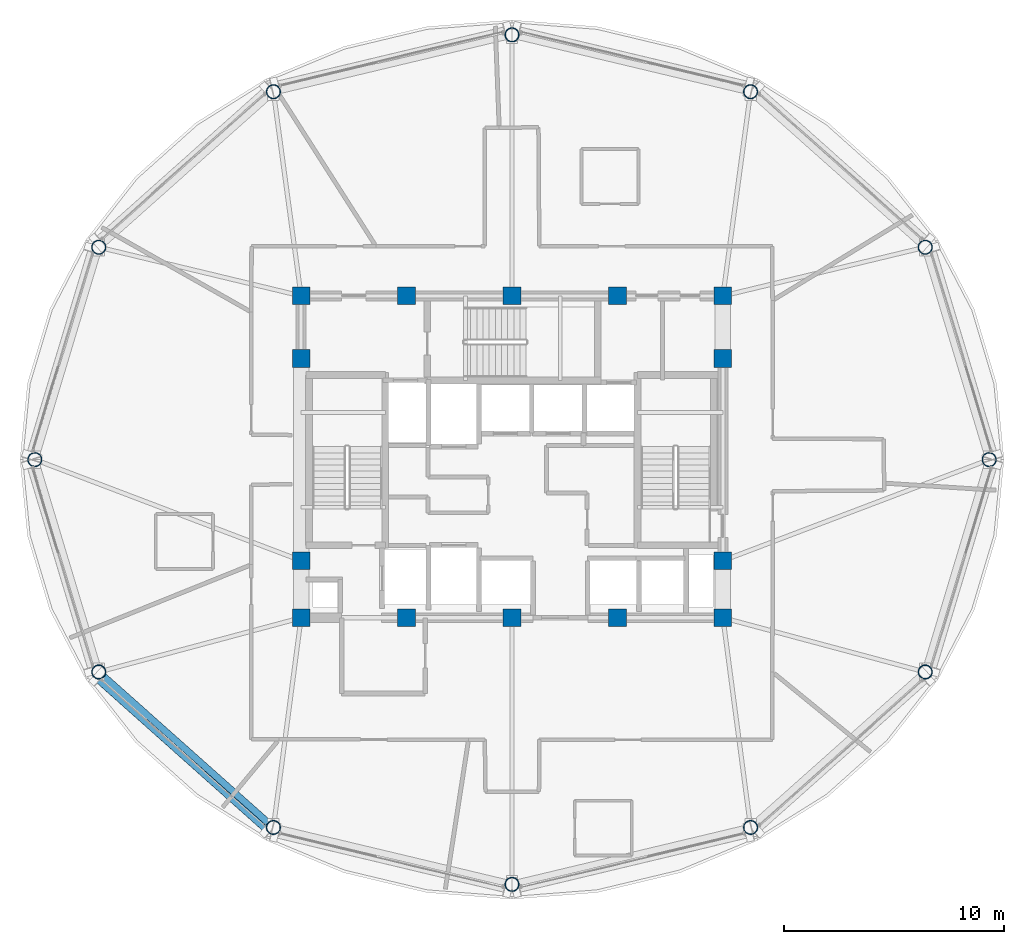
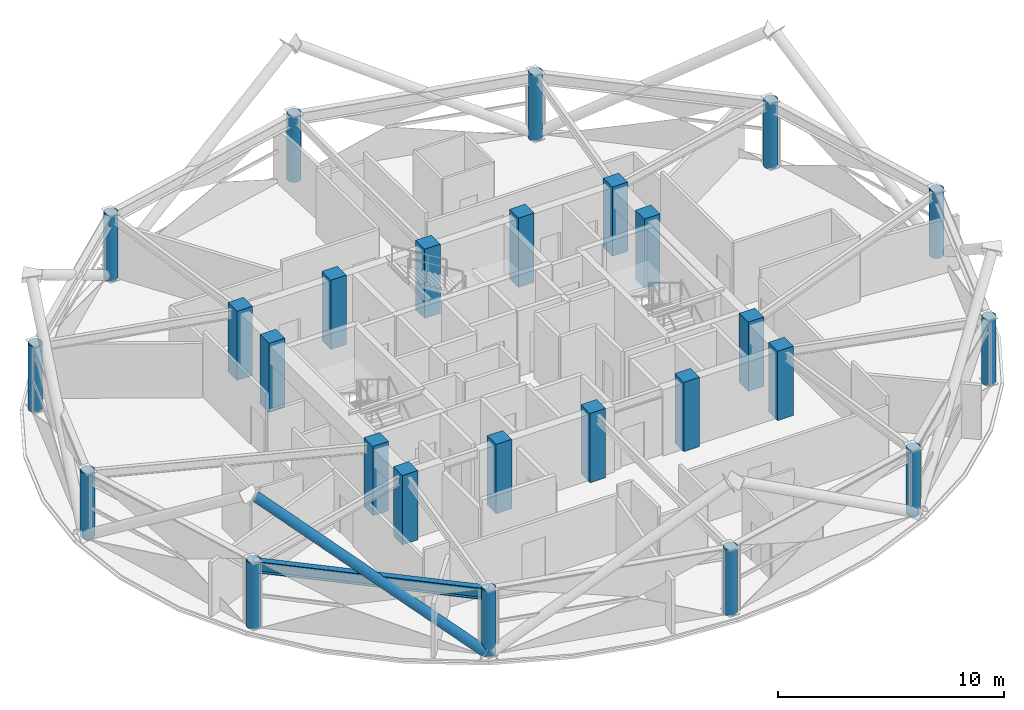
# One storey, part 1 of 28: 26 columns, 1 beam, 1 member.
"""IFC4 building model written with IfcOpenShell, lengths in metres."""

from ifc_helpers import new_model, si_unit, direction, frame, origin, origin_2d, place, context, subcontext, project, spatial, rectangle, hollow_circle, i_section, extrude, material, material_profile, profile_set, type_object, element, save


model = new_model("IFC4")

# Units and contexts
model_context = context("Model", 3, precision=1e-05, world=origin(), true_north=direction((0.0, 1.0)))
body_context = subcontext(model_context, "Body", "Model", "MODEL_VIEW")
ifc_project = project(units=[si_unit("LENGTHUNIT", "METRE"), si_unit("AREAUNIT", "SQUARE_METRE"), si_unit("VOLUMEUNIT", "CUBIC_METRE"), si_unit("PLANEANGLEUNIT", "RADIAN"), si_unit("MASSUNIT", "GRAM", prefix="KILO")], contexts=[model_context])

# Site, building, storey
site_placement = place(None, origin())
site = spatial("IfcSite", under=ifc_project, at=site_placement, CompositionType="ELEMENT")
building_placement = place(site_placement, origin())
building = spatial("IfcBuilding", under=site, at=building_placement, Name="Vantalir Tower", CompositionType="ELEMENT")
storey_placement = place(building_placement, frame((0.0, 0.0, 242.39990234375)))
storey = spatial("IfcBuildingStorey", under=building, at=storey_placement, Name="L61", CompositionType="ELEMENT", Elevation=242.39990234375)

# Columns
ifc_material_1 = material(Name="Concrete C50/60", Category="concrete")
ifc_material_profile_1 = material_profile(ifc_material_1, rectangle(XDim=0.800048828125, YDim=0.800048828125, at=origin_2d()), Name="Concrete C50/60")
ifc_profile_set_1 = profile_set([ifc_material_profile_1], Name="Concrete C50/60")
column_type_1 = type_object("IfcColumnType", Name="COL-CC-800", PredefinedType="COLUMN", material=ifc_profile_set_1)
for number, where, z_axis, x_axis, name in (
    (1, (21.89990234375, 17.800048828125, 0.0), (0.0, 0.0, 1.0), (1.0, 0.0, 0.0), "L61 Core Column CC01"),
    (2, (26.699951171875, 17.800048828125, 0.0), (0.0, 0.0, 1.0), (1.0, 0.0, 0.0), "L61 Core Column CC02"),
    (3, (31.5, 17.800048828125, 0.0), (0.0, 0.0, 1.0), (1.0, 0.0, 0.0), "L61 Core Column CC03"),
    (4, (36.300048828125, 17.800048828125, 0.0), (0.0, 0.0, 1.0), (1.0, 0.0, 0.0), "L61 Core Column CC04"),
    (5, (41.10009765625, 17.800048828125, 0.0), (0.0, 0.0, 1.0), (1.0, 0.0, 0.0), "L61 Core Column CC05"),
    (6, (21.89990234375, 20.39990234375, 0.0), (0.0, 0.0, 1.0), (1.0, 0.0, 0.0), "L61 Core Column CC06"),
    (7, (21.89990234375, 29.60009765625, 0.0), (0.0, 0.0, 1.0), (1.0, 0.0, 0.0), "L61 Core Column CC07"),
    (8, (41.10009765625, 20.39990234375, 0.0), (0.0, 0.0, 1.0), (1.0, 0.0, 0.0), "L61 Core Column CC08"),
    (9, (41.10009765625, 29.60009765625, 0.0), (0.0, 0.0, 1.0), (1.0, 0.0, 0.0), "L61 Core Column CC09"),
    (10, (21.89990234375, 32.449951171875, 0.0), (0.0, 0.0, 1.0), (1.0, 0.0, 0.0), "L61 Core Column CC10"),
    (11, (26.699951171875, 32.449951171875, 0.0), (0.0, 0.0, 1.0), (1.0, 0.0, 0.0), "L61 Core Column CC11"),
    (12, (31.5, 32.449951171875, 0.0), (0.0, 0.0, 1.0), (1.0, 0.0, 0.0), "L61 Core Column CC12"),
    (13, (36.300048828125, 32.449951171875, 0.0), (0.0, 0.0, 1.0), (1.0, 0.0, 0.0), "L61 Core Column CC13"),
    (14, (41.10009765625, 32.449951171875, 0.0), (0.0, 0.0, 1.0), (1.0, 0.0, 0.0), "L61 Core Column CC14"),
):
    element("IfcColumn", number, at=place(storey_placement, frame(where, z_axis=z_axis, x_axis=x_axis)), inside=storey, type_object=column_type_1, Name=name, PredefinedType="COLUMN", context=body_context, shape_type="SweptSolid", body=[
        extrude(rectangle(XDim=0.800048828125, YDim=0.800048828125, at=origin_2d()), origin(), (0.0, 0.0, 1.0), 3.75),
    ])
ifc_material_2 = material(Name="Steel S460", Category="steel")
ifc_material_profile_2 = material_profile(ifc_material_2, hollow_circle(Radius=0.324951171875, WallThickness=0.030029296875, at=origin_2d()), Name="Steel S460")
ifc_profile_set_2 = profile_set([ifc_material_profile_2], Name="Steel S460")
column_type_2 = type_object("IfcColumnType", Name="COL-RC-650", PredefinedType="COLUMN", material=ifc_profile_set_2)
for number, where, z_axis, x_axis, name in (
    (15, (53.218017578125, 25.0, 0.0), (0.0, 0.0, 1.0), (1.0, 0.0, 0.0), "L61 Perimeter Ring Column RC01"),
    (16, (50.30810546875, 34.666015625, 0.0), (0.0, 0.0, 1.0), (1.0, 0.0, 0.0), "L61 Perimeter Ring Column RC02"),
    (17, (42.35888671875, 41.742919921875, 0.0), (0.0, 0.0, 1.0), (1.0, 0.0, 0.0), "L61 Perimeter Ring Column RC03"),
    (18, (31.5, 44.3330078125, 0.0), (0.0, 0.0, 1.0), (1.0, 0.0, 0.0), "L61 Perimeter Ring Column RC04"),
    (19, (20.64111328125, 41.742919921875, 0.0), (0.0, 0.0, 1.0), (1.0, 0.0, 0.0), "L61 Perimeter Ring Column RC05"),
    (20, (12.69189453125, 34.666015625, 0.0), (0.0, 0.0, 1.0), (1.0, 0.0, 0.0), "L61 Perimeter Ring Column RC06"),
    (21, (9.781982421875, 25.0, 0.0), (0.0, 0.0, 1.0), (1.0, 0.0, 0.0), "L61 Perimeter Ring Column RC07"),
    (22, (12.69189453125, 15.3330078125, 0.0), (0.0, 0.0, 1.0), (1.0, 0.0, 0.0), "L61 Perimeter Ring Column RC08"),
    (23, (20.64111328125, 8.257080078125, 0.0), (0.0, 0.0, 1.0), (1.0, 0.0, 0.0), "L61 Perimeter Ring Column RC09"),
    (24, (31.5, 5.6669921875, 0.0), (0.0, 0.0, 1.0), (1.0, 0.0, 0.0), "L61 Perimeter Ring Column RC10"),
    (25, (42.35888671875, 8.257080078125, 0.0), (0.0, 0.0, 1.0), (1.0, 0.0, 0.0), "L61 Perimeter Ring Column RC11"),
    (26, (50.30810546875, 15.3330078125, 0.0), (0.0, 0.0, 1.0), (1.0, 0.0, 0.0), "L61 Perimeter Ring Column RC12"),
):
    element("IfcColumn", number, at=place(storey_placement, frame(where, z_axis=z_axis, x_axis=x_axis)), inside=storey, type_object=column_type_2, Name=name, PredefinedType="COLUMN", context=body_context, shape_type="SweptSolid", body=[
        extrude(hollow_circle(Radius=0.324951171875, WallThickness=0.030029296875, at=origin_2d()), origin(), (0.0, 0.0, 1.0), 3.570068359375),
    ])

# Beam
ifc_material_profile_3 = material_profile(ifc_material_2, i_section(OverallWidth=0.306884765625, OverallDepth=0.6201171875, WebThickness=0.01416015625, FlangeThickness=0.023681640625, at=origin_2d()), Name="Steel S460")
ifc_profile_set_3 = profile_set([ifc_material_profile_3], Name="Steel S460")
beam_type = type_object("IfcBeamType", Name="BM-RG-610x305", PredefinedType="USERDEFINED", material=ifc_profile_set_3)
beam_placement = place(storey_placement, frame((12.69189453125, 15.3330078125, 3.260009765625), z_axis=(0.746944629215, -0.664886246577, 0.0), x_axis=(0.664886246577, 0.746944629215, 0.0)))
element("IfcBeam", 27, at=beam_placement, inside=storey, type_object=beam_type, Name="L61 Circumferential Ring Girder 08", ObjectType="GIRDER", PredefinedType="USERDEFINED", context=body_context, shape_type="SweptSolid", body=[
    extrude(i_section(OverallWidth=0.306884765625, OverallDepth=0.6201171875, WebThickness=0.01416015625, FlangeThickness=0.023681640625, at=origin_2d()), origin(), (0.0, 0.0, 1.0), 10.642333984375),
])

# Member
ifc_material_profile_4 = material_profile(ifc_material_2, hollow_circle(Radius=0.25, WallThickness=0.031982421875, at=origin_2d()), Name="Steel S460")
ifc_profile_set_4 = profile_set([ifc_material_profile_4], Name="Steel S460")
member_type = type_object("IfcMemberType", Name="MEM-DB-500x32", PredefinedType="BRACE", material=ifc_profile_set_4)
member_placement = place(storey_placement, frame((20.408935546875, 8.215087890625, 0.2021484375), z_axis=(-0.621209164896, 0.553513168835, 0.554727271166), x_axis=(-0.665254469402, -0.746616696131, 0.0)))
element("IfcMember", 28, at=member_placement, inside=storey, type_object=member_type, Name="L61 Perimeter S460 Diagrid Brace R25R", PredefinedType="BRACE", context=body_context, shape_type="SweptSolid", body=[
    extrude(hollow_circle(Radius=0.25, WallThickness=0.031982421875, at=origin_2d()), origin(), (0.0, 0.0, 1.0), 12.467529296875),
])

save(model, "model.ifc")
